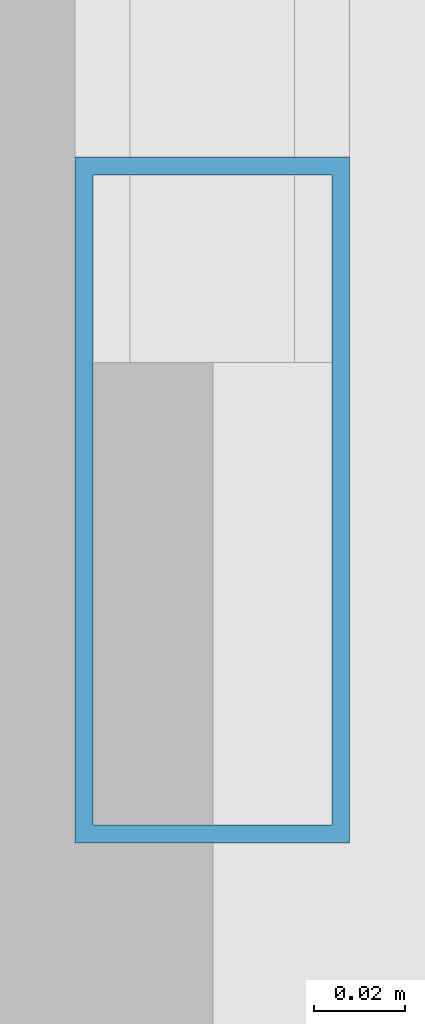
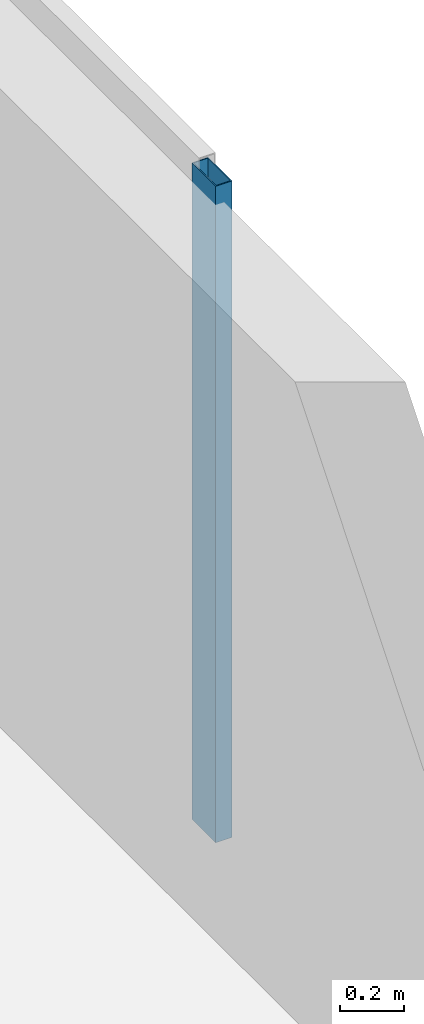
# One storey, part 2 of 9: 1 member, 1 element without a shape of its own.
"""IFC4 building model written with IfcOpenShell, lengths in metres."""

from ifc_helpers import new_model, si_unit, direction, frame, origin, origin_2d, place, context, subcontext, project, spatial, hollow_rectangle, extrude, material, material_profile, profile_set, type_object, element, aggregate, save


model = new_model("IFC4")

# Units and contexts
model_context = context("Model", 3, precision=1e-05, world=origin(), true_north=direction((0.0, 1.0)))
body_context = subcontext(model_context, "Body", "Model", "MODEL_VIEW")
ifc_project = project(units=[si_unit("LENGTHUNIT", "METRE"), si_unit("AREAUNIT", "SQUARE_METRE"), si_unit("VOLUMEUNIT", "CUBIC_METRE"), si_unit("PLANEANGLEUNIT", "RADIAN"), si_unit("MASSUNIT", "GRAM", prefix="KILO")], contexts=[model_context])

# Site, building, storey
site_placement = place(None, origin())
site = spatial("IfcSite", under=ifc_project, at=site_placement, CompositionType="ELEMENT")
building_placement = place(site_placement, origin())
building = spatial("IfcBuilding", under=site, at=building_placement, Name="Kuzgunbayir Cultural Tower", CompositionType="ELEMENT")
storey_placement = place(building_placement, frame((0.0, 0.0, 166.39990234375)))
storey = spatial("IfcBuildingStorey", under=building, at=storey_placement, Name="L48", CompositionType="ELEMENT", Elevation=166.39990234375)

# Curtain wall, member
ifc_material = material(Name="Anodised Aluminium Framing", Category="aluminium")
curtain_wall_type = type_object("IfcCurtainWallType", Name="CW02-PORTAL-SOFFIT", PredefinedType="NOTDEFINED", material=ifc_material)
curtain_wall_placement = place(storey_placement, origin())
curtain_wall = element("IfcCurtainWall", 1, at=curtain_wall_placement, inside=storey, type_object=curtain_wall_type, Name="L48 Wind-Portal Aperture Curtain Wall", PredefinedType="NOTDEFINED")
ifc_material_profile = material_profile(ifc_material, hollow_rectangle(XDim=0.06005859375, YDim=0.14990234375, WallThickness=0.00390625, at=origin_2d()), Name="RHS 150x60x4")
ifc_profile_set = profile_set([ifc_material_profile], Name="Anodised Aluminium Framing")
member_type = type_object("IfcMemberType", Name="MEM-CW-MULLION-150", PredefinedType="MULLION", material=ifc_profile_set)
member_placement = place(storey_placement, frame((31.14990234375, 34.22998046875, 0.0), z_axis=(0.0, 0.0, 1.0), x_axis=(-1.0, 0.0, 0.0)))
member = element("IfcMember", 2, at=member_placement, type_object=member_type, Name="CW02 mullion 1", PredefinedType="MULLION", context=body_context, shape_type="SweptSolid", body=[
    extrude(hollow_rectangle(XDim=0.06005859375, YDim=0.14990234375, WallThickness=0.00390625, at=origin_2d()), origin(), (0.0, 0.0, 1.0), 2.52001953125),
])
aggregate(curtain_wall, [member])

save(model, "model.ifc")
